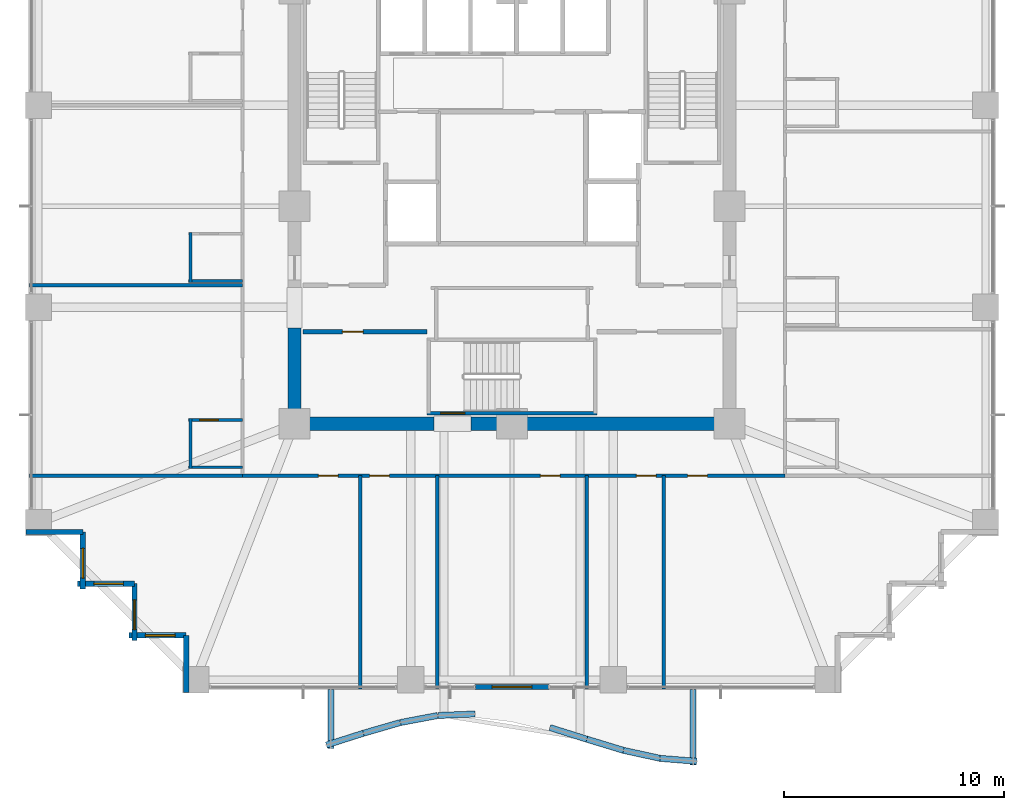
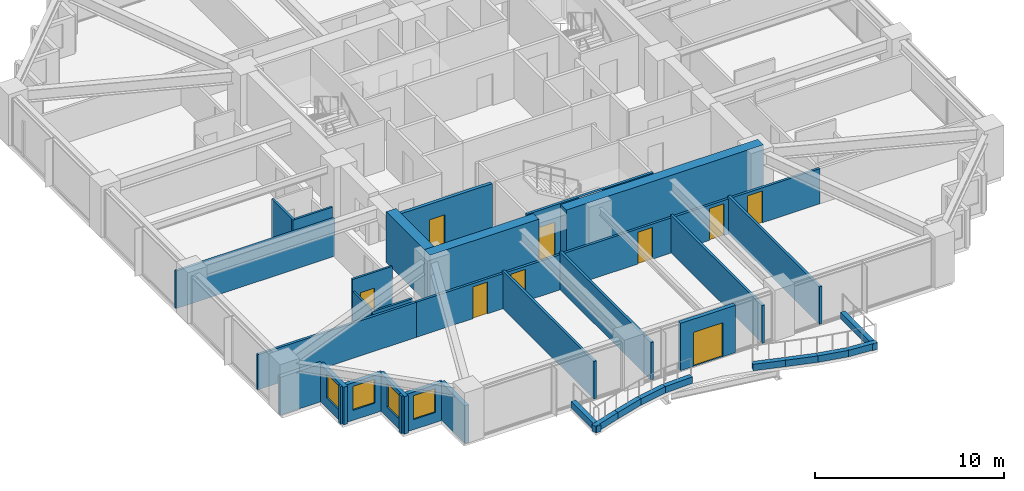
# One storey, part 32 of 38: 34 walls, 9 doors, 4 windows, 13 openings.
"""IFC4 building model written with IfcOpenShell, lengths in metres."""

from ifc_helpers import new_model, si_unit, direction, frame, frame_2d, origin, place, context, subcontext, project, spatial, rectangle, extrude, material, layer, layer_set, type_object, element, fill, save


model = new_model("IFC4")

# Units and contexts
model_context = context("Model", 3, precision=1e-05, world=origin(), true_north=direction((0.0, 1.0)))
body_context = subcontext(model_context, "Body", "Model", "MODEL_VIEW")
ifc_project = project(units=[si_unit("LENGTHUNIT", "METRE"), si_unit("AREAUNIT", "SQUARE_METRE"), si_unit("VOLUMEUNIT", "CUBIC_METRE"), si_unit("PLANEANGLEUNIT", "RADIAN"), si_unit("MASSUNIT", "GRAM", prefix="KILO")], contexts=[model_context])

# Site, building, storey
site_placement = place(None, origin())
site = spatial("IfcSite", under=ifc_project, at=site_placement, CompositionType="ELEMENT")
building_placement = place(site_placement, origin())
building = spatial("IfcBuilding", under=site, at=building_placement, Name="Kolvaren Belvedere", CompositionType="ELEMENT")
storey_placement = place(building_placement, frame((0.0, 0.0, 27.10009765625)))
storey = spatial("IfcBuildingStorey", under=building, at=storey_placement, Name="L07", CompositionType="ELEMENT", Elevation=27.10009765625)

# Walls
ifc_material_1 = material(Name="Concrete C60/75", Category="concrete")
ifc_layer_1 = layer(ifc_material_1, 0.60009765625)
ifc_layer_set_1 = layer_set([ifc_layer_1], Name="Concrete C60/75")
wall_type_1 = type_object("IfcWallType", Name="CW-CORE-600", PredefinedType="SHEAR", material=ifc_layer_set_1)
wall_1_placement = place(storey_placement, frame((10.199951171875, -9.89990234375, 0.0), z_axis=(0.0, 0.0, 1.0), x_axis=(-1.0, 0.0, 0.0)))
element("IfcWall", 1, at=wall_1_placement, inside=storey, type_object=wall_type_1, Name="L07 South Core Shear Wall 1", PredefinedType="SHEAR", context=body_context, shape_type="SweptSolid", body=[
    extrude(rectangle(XDim=12.06005859375, YDim=0.60009765625, at=frame_2d((6.030029296875, 0.0))), origin(), (0.0, 0.0, 1.0), 3.2998046875),
])
wall_2_placement = place(storey_placement, frame((-3.5400390625, -9.89990234375, 0.0), z_axis=(0.0, 0.0, 1.0), x_axis=(-1.0, 0.0, 0.0)))
element("IfcWall", 2, at=wall_2_placement, inside=storey, type_object=wall_type_1, Name="L07 South Core Shear Wall 2", PredefinedType="SHEAR", context=body_context, shape_type="SweptSolid", body=[
    extrude(rectangle(XDim=6.659912109375, YDim=0.60009765625, at=frame_2d((3.330078125, 0.0))), origin(), (0.0, 0.0, 1.0), 3.2998046875),
])
wall_3_placement = place(storey_placement, frame((-9.89990234375, -9.60009765625, 0.0), z_axis=(0.0, 0.0, 1.0), x_axis=(0.0, 1.0, 0.0)))
element("IfcWall", 3, at=wall_3_placement, inside=storey, type_object=wall_type_1, Name="L07 West Core Shear Wall 1", PredefinedType="SHEAR", context=body_context, shape_type="SweptSolid", body=[
    extrude(rectangle(XDim=4.050048828125, YDim=0.60009765625, at=frame_2d((2.02490234375, 0.0))), origin(), (0.0, 0.0, 1.0), 3.2998046875),
])

# Wall, opening, door
ifc_material_2 = material(Name="Concrete C50/60", Category="concrete")
ifc_layer_2 = layer(ifc_material_2, 0.159912109375)
ifc_layer_set_2 = layer_set([ifc_layer_2], Name="Concrete C50/60")
wall_type_2 = type_object("IfcWallType", Name="CW-STAIR-160", PredefinedType="SHEAR", material=ifc_layer_set_2)
wall_4_placement = place(storey_placement, frame((3.860107421875, -9.429931640625, 0.0), z_axis=(0.0, 0.0, 1.0), x_axis=(-1.0, 0.0, 0.0)))
wall_4 = element("IfcWall", 4, at=wall_4_placement, inside=storey, type_object=wall_type_2, Name="L07 Stair ST-3 South Shear Wall", PredefinedType="SHEAR", context=body_context, shape_type="SweptSolid", body=[
    extrude(rectangle(XDim=7.72021484375, YDim=0.159912109375, at=frame_2d((3.860107421875, 0.0))), origin(), (0.0, 0.0, 1.0), 3.2998046875),
])
opening_1_placement = place(wall_4_placement, frame((6.010009765625, 0.0, 0.0)))
opening_1 = element("IfcOpeningElement", 5, at=opening_1_placement, cuts=wall_4, Name="Opening D-FD90", PredefinedType="OPENING", context=body_context, shape_type="SweptSolid", body=[
    extrude(rectangle(XDim=1.10009765625, YDim=2.199951171875, at=frame_2d((0.550048828125, 1.10009765625))), frame((0.0, 0.08984375, 0.0), z_axis=(0.0, -1.0, 0.0), x_axis=(1.0, 0.0, 0.0)), (0.0, 0.0, 1.0), 0.179931640625),
])
ifc_material_3 = material(Name="Painted hollow stainless steel", Category="steel")
door_type_1 = type_object("IfcDoorType", Name="DR-FD90-1100", OperationType="NOTDEFINED", PredefinedType="DOOR", material=ifc_material_3)
door_1_placement = place(opening_1_placement, origin())
door_1 = element("IfcDoor", 6, at=door_1_placement, inside=storey, type_object=door_type_1, Name="L07 Stair ST-3 Exit Door", OperationType="SINGLE_SWING_RIGHT", OverallHeight=2.199951171875, OverallWidth=1.10009765625, PredefinedType="DOOR", context=body_context, shape_type="SweptSolid", body=[
    extrude(rectangle(XDim=1.10009765625, YDim=2.199951171875, at=frame_2d((0.550048828125, 1.10009765625))), frame((0.0, 0.02490234375, 0.0), z_axis=(0.0, -1.0, 0.0), x_axis=(1.0, 0.0, 0.0)), (0.0, 0.0, 1.0), 0.050048828125),
])
fill(opening_1, door_1)

# Wall, openings, doors
ifc_material_4 = material(Name="Gypsum fire-rated partition assembly", Category="gypsum")
ifc_layer_3 = layer(ifc_material_4, 0.14990234375)
ifc_layer_set_3 = layer_set([ifc_layer_3], Name="Gypsum fire-rated partition assembly")
wall_type_3 = type_object("IfcWallType", Name="WL-CORR-150", PredefinedType="PARTITIONING", material=ifc_layer_set_3)
wall_5_placement = place(storey_placement, frame((-12.260009765625, -12.260009765625, 0.0), z_axis=(0.0, 0.0, 1.0), x_axis=(1.0, 0.0, 0.0)))
wall_5 = element("IfcWall", 7, at=wall_5_placement, inside=storey, type_object=wall_type_3, Name="L07 South Corridor Wall", PredefinedType="PARTITIONING", context=body_context, shape_type="SweptSolid", body=[
    extrude(rectangle(XDim=24.679931640625, YDim=0.14990234375, at=frame_2d((12.33984375, 0.0))), origin(), (0.0, 0.0, 1.0), 2.27197265625),
])
opening_2_placement = place(wall_5_placement, frame((3.4443359375, 0.0, 0.0)))
opening_2 = element("IfcOpeningElement", 8, at=opening_2_placement, cuts=wall_5, Name="Opening D-INT90", PredefinedType="OPENING", context=body_context, shape_type="SweptSolid", body=[
    extrude(rectangle(XDim=0.89990234375, YDim=2.06005859375, at=frame_2d((0.449951171875, 1.030029296875))), frame((0.0, 0.0849609375, 0.0), z_axis=(0.0, -1.0, 0.0), x_axis=(1.0, 0.0, 0.0)), (0.0, 0.0, 1.0), 0.169921875),
])
opening_3_placement = place(wall_5_placement, frame((5.779296875, 0.0, 0.0)))
opening_3 = element("IfcOpeningElement", 9, at=opening_3_placement, cuts=wall_5, Name="Opening D-INT90", PredefinedType="OPENING", context=body_context, shape_type="SweptSolid", body=[
    extrude(rectangle(XDim=0.89990234375, YDim=2.06005859375, at=frame_2d((0.449951171875, 1.030029296875))), frame((0.0, 0.0849609375, 0.0), z_axis=(0.0, -1.0, 0.0), x_axis=(1.0, 0.0, 0.0)), (0.0, 0.0, 1.0), 0.169921875),
])
opening_4_placement = place(wall_5_placement, frame((13.551025390625, 0.0, 0.0)))
opening_4 = element("IfcOpeningElement", 10, at=opening_4_placement, cuts=wall_5, Name="Opening D-INT90", PredefinedType="OPENING", context=body_context, shape_type="SweptSolid", body=[
    extrude(rectangle(XDim=0.89990234375, YDim=2.06005859375, at=frame_2d((0.449951171875, 1.030029296875))), frame((0.0, 0.0849609375, 0.0), z_axis=(0.0, -1.0, 0.0), x_axis=(1.0, 0.0, 0.0)), (0.0, 0.0, 1.0), 0.169921875),
])
opening_5_placement = place(wall_5_placement, frame((17.920654296875, 0.0, 0.0)))
opening_5 = element("IfcOpeningElement", 11, at=opening_5_placement, cuts=wall_5, Name="Opening D-INT90", PredefinedType="OPENING", context=body_context, shape_type="SweptSolid", body=[
    extrude(rectangle(XDim=0.89990234375, YDim=2.06005859375, at=frame_2d((0.449951171875, 1.030029296875))), frame((0.0, 0.0849609375, 0.0), z_axis=(0.0, -1.0, 0.0), x_axis=(1.0, 0.0, 0.0)), (0.0, 0.0, 1.0), 0.169921875),
])
opening_6_placement = place(wall_5_placement, frame((20.255615234375, 0.0, 0.0)))
opening_6 = element("IfcOpeningElement", 12, at=opening_6_placement, cuts=wall_5, Name="Opening D-INT90", PredefinedType="OPENING", context=body_context, shape_type="SweptSolid", body=[
    extrude(rectangle(XDim=0.89990234375, YDim=2.06005859375, at=frame_2d((0.449951171875, 1.030029296875))), frame((0.0, 0.0849609375, 0.0), z_axis=(0.0, -1.0, 0.0), x_axis=(1.0, 0.0, 0.0)), (0.0, 0.0, 1.0), 0.169921875),
])
ifc_material_5 = material(Name="Stained Pacific white oak", Category="timber")
door_type_2 = type_object("IfcDoorType", Name="DR-INT-900", OperationType="NOTDEFINED", PredefinedType="DOOR", material=ifc_material_5)
door_2_placement = place(opening_2_placement, origin())
door_2 = element("IfcDoor", 13, at=door_2_placement, inside=storey, type_object=door_type_2, Name="L07 Lounge 701 Door", OperationType="SINGLE_SWING_LEFT", OverallHeight=2.06005859375, OverallWidth=0.89990234375, PredefinedType="DOOR", context=body_context, shape_type="SweptSolid", body=[
    extrude(rectangle(XDim=0.89990234375, YDim=2.06005859375, at=frame_2d((0.449951171875, 1.030029296875))), frame((0.0, 0.02490234375, 0.0), z_axis=(0.0, -1.0, 0.0), x_axis=(1.0, 0.0, 0.0)), (0.0, 0.0, 1.0), 0.050048828125),
])
fill(opening_2, door_2)
door_3_placement = place(opening_3_placement, origin())
door_3 = element("IfcDoor", 14, at=door_3_placement, inside=storey, type_object=door_type_2, Name="L07 Guest Tea & Espresso Kitchen 702 Door", OperationType="SINGLE_SWING_RIGHT", OverallHeight=2.06005859375, OverallWidth=0.89990234375, PredefinedType="DOOR", context=body_context, shape_type="SweptSolid", body=[
    extrude(rectangle(XDim=0.89990234375, YDim=2.06005859375, at=frame_2d((0.449951171875, 1.030029296875))), frame((0.0, 0.02490234375, 0.0), z_axis=(0.0, -1.0, 0.0), x_axis=(1.0, 0.0, 0.0)), (0.0, 0.0, 1.0), 0.050048828125),
])
fill(opening_3, door_3)
door_4_placement = place(opening_4_placement, origin())
door_4 = element("IfcDoor", 15, at=door_4_placement, inside=storey, type_object=door_type_2, Name="L07 Private Hospitality Meeting Room 703 Door", OperationType="SINGLE_SWING_LEFT", OverallHeight=2.06005859375, OverallWidth=0.89990234375, PredefinedType="DOOR", context=body_context, shape_type="SweptSolid", body=[
    extrude(rectangle(XDim=0.89990234375, YDim=2.06005859375, at=frame_2d((0.449951171875, 1.030029296875))), frame((0.0, 0.02490234375, 0.0), z_axis=(0.0, -1.0, 0.0), x_axis=(1.0, 0.0, 0.0)), (0.0, 0.0, 1.0), 0.050048828125),
])
fill(opening_4, door_4)
door_5_placement = place(opening_5_placement, origin())
door_5 = element("IfcDoor", 16, at=door_5_placement, inside=storey, type_object=door_type_2, Name="L07 Botanical Reading Salon 704 Door", OperationType="SINGLE_SWING_RIGHT", OverallHeight=2.06005859375, OverallWidth=0.89990234375, PredefinedType="DOOR", context=body_context, shape_type="SweptSolid", body=[
    extrude(rectangle(XDim=0.89990234375, YDim=2.06005859375, at=frame_2d((0.449951171875, 1.030029296875))), frame((0.0, 0.02490234375, 0.0), z_axis=(0.0, -1.0, 0.0), x_axis=(1.0, 0.0, 0.0)), (0.0, 0.0, 1.0), 0.050048828125),
])
fill(opening_5, door_5)
door_6_placement = place(opening_6_placement, origin())
door_6 = element("IfcDoor", 17, at=door_6_placement, inside=storey, type_object=door_type_2, Name="L07 Lounge 705 Door", OperationType="SINGLE_SWING_LEFT", OverallHeight=2.06005859375, OverallWidth=0.89990234375, PredefinedType="DOOR", context=body_context, shape_type="SweptSolid", body=[
    extrude(rectangle(XDim=0.89990234375, YDim=2.06005859375, at=frame_2d((0.449951171875, 1.030029296875))), frame((0.0, 0.02490234375, 0.0), z_axis=(0.0, -1.0, 0.0), x_axis=(1.0, 0.0, 0.0)), (0.0, 0.0, 1.0), 0.050048828125),
])
fill(opening_6, door_6)

# Wall, opening, door
ifc_material_6 = material(Name="Insulated pale-metal facade wall assembly", Category="aluminium")
ifc_layer_4 = layer(ifc_material_6, 0.239990234375)
ifc_layer_set_4 = layer_set([ifc_layer_4], Name="Insulated pale-metal facade wall assembly")
wall_type_4 = type_object("IfcWallType", Name="WL-EXT-240", PredefinedType="STANDARD", material=ifc_layer_set_4)
wall_6_placement = place(storey_placement, frame((1.679931640625, -21.8798828125, 0.0), z_axis=(0.0, 0.0, 1.0), x_axis=(-1.0, 0.0, 0.0)))
wall_6 = element("IfcWall", 18, at=wall_6_placement, inside=storey, type_object=wall_type_4, Name="L07 South Terrace Portal Wall", PredefinedType="STANDARD", context=body_context, shape_type="SweptSolid", body=[
    extrude(rectangle(XDim=3.35986328125, YDim=0.239990234375, at=frame_2d((1.679931640625, 0.0))), origin(), (0.0, 0.0, 1.0), 3.059814453125),
])
opening_7_placement = place(wall_6_placement, frame((0.780029296875, 0.0, 0.0)))
opening_7 = element("IfcOpeningElement", 19, at=opening_7_placement, cuts=wall_6, Name="Opening DB-1800", PredefinedType="OPENING", context=body_context, shape_type="SweptSolid", body=[
    extrude(rectangle(XDim=1.800048828125, YDim=2.199951171875, at=frame_2d((0.89990234375, 1.10009765625))), frame((0.0, 0.1298828125, 0.0), z_axis=(0.0, -1.0, 0.0), x_axis=(1.0, 0.0, 0.0)), (0.0, 0.0, 1.0), 0.260009765625),
])
ifc_material_7 = material(Name="Thermally broken pale-metal aluminium & low-iron glass", Category="aluminium")
door_type_3 = type_object("IfcDoorType", Name="DR-BAL-1800", OperationType="DOUBLE_DOOR_SLIDING", PredefinedType="DOOR", material=ifc_material_7)
door_7_placement = place(opening_7_placement, origin())
door_7 = element("IfcDoor", 20, at=door_7_placement, inside=storey, type_object=door_type_3, Name="L07 South Planted Terrace Sliding Door", OperationType="DOUBLE_DOOR_SLIDING", OverallHeight=2.199951171875, OverallWidth=1.800048828125, PredefinedType="DOOR", context=body_context, shape_type="SweptSolid", body=[
    extrude(rectangle(XDim=1.800048828125, YDim=2.199951171875, at=frame_2d((0.89990234375, 1.10009765625))), frame((0.0, 0.02490234375, 0.0), z_axis=(0.0, -1.0, 0.0), x_axis=(1.0, 0.0, 0.0)), (0.0, 0.0, 1.0), 0.050048828125),
])
fill(opening_7, door_7)

# Wall
wall_7_placement = place(storey_placement, frame((-19.530029296875, -14.830078125, 0.0), z_axis=(0.0, 0.0, 1.0), x_axis=(-1.0, 0.0, 0.0)))
element("IfcWall", 21, at=wall_7_placement, inside=storey, type_object=wall_type_4, Name="L07 Serrated Corner Facade Wall 23", PredefinedType="STANDARD", context=body_context, shape_type="SweptSolid", body=[
    extrude(rectangle(XDim=2.590087890625, YDim=0.239990234375, at=frame_2d((1.294921875, 0.0))), origin(), (0.0, 0.0, 1.0), 2.43896484375),
])

# Wall, opening, window
wall_8_placement = place(storey_placement, frame((-19.530029296875, -17.419921875, 0.0), z_axis=(0.0, 0.0, 1.0), x_axis=(0.0, 1.0, 0.0)))
wall_8 = element("IfcWall", 22, at=wall_8_placement, inside=storey, type_object=wall_type_4, Name="L07 Serrated Corner Facade Wall 24", PredefinedType="STANDARD", context=body_context, shape_type="SweptSolid", body=[
    extrude(rectangle(XDim=2.58984375, YDim=0.239990234375, at=frame_2d((1.294921875, 0.0))), origin(), (0.0, 0.0, 1.0), 2.43896484375),
])
opening_8_placement = place(wall_8_placement, frame((0.5, 0.0, 0.64990234375)))
opening_8 = element("IfcOpeningElement", 23, at=opening_8_placement, cuts=wall_8, Name="Opening W-1350", PredefinedType="OPENING", context=body_context, shape_type="SweptSolid", body=[
    extrude(rectangle(XDim=1.35009765625, YDim=1.550048828125, at=frame_2d((0.675048828125, 0.77490234375))), frame((0.0, 0.1298828125, 0.0), z_axis=(0.0, -1.0, 0.0), x_axis=(1.0, 0.0, 0.0)), (0.0, 0.0, 1.0), 0.260009765625),
])
ifc_material_8 = material(Name="Low-iron triple insulated glass", Category="glass")
window_type = type_object("IfcWindowType", Name="WN-CORN-1350", PartitioningType="SINGLE_PANEL", PredefinedType="WINDOW", material=ifc_material_8)
window_1_placement = place(opening_8_placement, origin())
window_1 = element("IfcWindow", 24, at=window_1_placement, inside=storey, type_object=window_type, Name="L07 Serrated Corner Vision Window 24", OverallHeight=1.550048828125, OverallWidth=1.35009765625, PartitioningType="SINGLE_PANEL", PredefinedType="WINDOW", context=body_context, shape_type="SweptSolid", body=[
    extrude(rectangle(XDim=1.35009765625, YDim=1.550048828125, at=frame_2d((0.675048828125, 0.77490234375))), frame((0.0, 0.030029296875, 0.0), z_axis=(0.0, -1.0, 0.0), x_axis=(1.0, 0.0, 0.0)), (0.0, 0.0, 1.0), 0.06005859375),
])
fill(opening_8, window_1)

wall_9_placement = place(storey_placement, frame((-17.179931640625, -17.179931640625, 0.0), z_axis=(0.0, 0.0, 1.0), x_axis=(-1.0, 0.0, 0.0)))
wall_9 = element("IfcWall", 25, at=wall_9_placement, inside=storey, type_object=wall_type_4, Name="L07 Serrated Corner Facade Wall 25", PredefinedType="STANDARD", context=body_context, shape_type="SweptSolid", body=[
    extrude(rectangle(XDim=2.590087890625, YDim=0.239990234375, at=frame_2d((1.294921875, 0.0))), origin(), (0.0, 0.0, 1.0), 2.43896484375),
])
opening_9_placement = place(wall_9_placement, frame((0.5, 0.0, 0.64990234375)))
opening_9 = element("IfcOpeningElement", 26, at=opening_9_placement, cuts=wall_9, Name="Opening W-1350", PredefinedType="OPENING", context=body_context, shape_type="SweptSolid", body=[
    extrude(rectangle(XDim=1.35009765625, YDim=1.550048828125, at=frame_2d((0.675048828125, 0.77490234375))), frame((0.0, 0.1298828125, 0.0), z_axis=(0.0, -1.0, 0.0), x_axis=(1.0, 0.0, 0.0)), (0.0, 0.0, 1.0), 0.260009765625),
])
window_2_placement = place(opening_9_placement, origin())
window_2 = element("IfcWindow", 27, at=window_2_placement, inside=storey, type_object=window_type, Name="L07 Serrated Corner Vision Window 25", OverallHeight=1.550048828125, OverallWidth=1.35009765625, PartitioningType="SINGLE_PANEL", PredefinedType="WINDOW", context=body_context, shape_type="SweptSolid", body=[
    extrude(rectangle(XDim=1.35009765625, YDim=1.550048828125, at=frame_2d((0.675048828125, 0.77490234375))), frame((0.0, 0.030029296875, 0.0), z_axis=(0.0, -1.0, 0.0), x_axis=(1.0, 0.0, 0.0)), (0.0, 0.0, 1.0), 0.06005859375),
])
fill(opening_9, window_2)

wall_10_placement = place(storey_placement, frame((-17.179931640625, -19.77001953125, 0.0), z_axis=(0.0, 0.0, 1.0), x_axis=(0.0, 1.0, 0.0)))
wall_10 = element("IfcWall", 28, at=wall_10_placement, inside=storey, type_object=wall_type_4, Name="L07 Serrated Corner Facade Wall 26", PredefinedType="STANDARD", context=body_context, shape_type="SweptSolid", body=[
    extrude(rectangle(XDim=2.590087890625, YDim=0.239990234375, at=frame_2d((1.294921875, 0.0))), origin(), (0.0, 0.0, 1.0), 2.43896484375),
])
opening_10_placement = place(wall_10_placement, frame((0.5, 0.0, 0.64990234375)))
opening_10 = element("IfcOpeningElement", 29, at=opening_10_placement, cuts=wall_10, Name="Opening W-1350", PredefinedType="OPENING", context=body_context, shape_type="SweptSolid", body=[
    extrude(rectangle(XDim=1.35009765625, YDim=1.550048828125, at=frame_2d((0.675048828125, 0.77490234375))), frame((0.0, 0.1298828125, 0.0), z_axis=(0.0, -1.0, 0.0), x_axis=(1.0, 0.0, 0.0)), (0.0, 0.0, 1.0), 0.260009765625),
])
window_3_placement = place(opening_10_placement, origin())
window_3 = element("IfcWindow", 30, at=window_3_placement, inside=storey, type_object=window_type, Name="L07 Serrated Corner Vision Window 26", OverallHeight=1.550048828125, OverallWidth=1.35009765625, PartitioningType="SINGLE_PANEL", PredefinedType="WINDOW", context=body_context, shape_type="SweptSolid", body=[
    extrude(rectangle(XDim=1.35009765625, YDim=1.550048828125, at=frame_2d((0.675048828125, 0.77490234375))), frame((0.0, 0.030029296875, 0.0), z_axis=(0.0, -1.0, 0.0), x_axis=(1.0, 0.0, 0.0)), (0.0, 0.0, 1.0), 0.06005859375),
])
fill(opening_10, window_3)

wall_11_placement = place(storey_placement, frame((-14.830078125, -19.530029296875, 0.0), z_axis=(0.0, 0.0, 1.0), x_axis=(-1.0, 0.0, 0.0)))
wall_11 = element("IfcWall", 31, at=wall_11_placement, inside=storey, type_object=wall_type_4, Name="L07 Serrated Corner Facade Wall 27", PredefinedType="STANDARD", context=body_context, shape_type="SweptSolid", body=[
    extrude(rectangle(XDim=2.58984375, YDim=0.239990234375, at=frame_2d((1.294921875, 0.0))), origin(), (0.0, 0.0, 1.0), 2.43896484375),
])
opening_11_placement = place(wall_11_placement, frame((0.5, 0.0, 0.64990234375)))
opening_11 = element("IfcOpeningElement", 32, at=opening_11_placement, cuts=wall_11, Name="Opening W-1350", PredefinedType="OPENING", context=body_context, shape_type="SweptSolid", body=[
    extrude(rectangle(XDim=1.35009765625, YDim=1.550048828125, at=frame_2d((0.675048828125, 0.77490234375))), frame((0.0, 0.1298828125, 0.0), z_axis=(0.0, -1.0, 0.0), x_axis=(1.0, 0.0, 0.0)), (0.0, 0.0, 1.0), 0.260009765625),
])
window_4_placement = place(opening_11_placement, origin())
window_4 = element("IfcWindow", 33, at=window_4_placement, inside=storey, type_object=window_type, Name="L07 Serrated Corner Vision Window 27", OverallHeight=1.550048828125, OverallWidth=1.35009765625, PartitioningType="SINGLE_PANEL", PredefinedType="WINDOW", context=body_context, shape_type="SweptSolid", body=[
    extrude(rectangle(XDim=1.35009765625, YDim=1.550048828125, at=frame_2d((0.675048828125, 0.77490234375))), frame((0.0, 0.030029296875, 0.0), z_axis=(0.0, -1.0, 0.0), x_axis=(1.0, 0.0, 0.0)), (0.0, 0.0, 1.0), 0.06005859375),
])
fill(opening_11, window_4)

# Walls
wall_12_placement = place(storey_placement, frame((-14.830078125, -22.1201171875, 0.0), z_axis=(0.0, 0.0, 1.0), x_axis=(0.0, 1.0, 0.0)))
element("IfcWall", 34, at=wall_12_placement, inside=storey, type_object=wall_type_4, Name="L07 Serrated Corner Facade Wall 28", PredefinedType="STANDARD", context=body_context, shape_type="SweptSolid", body=[
    extrude(rectangle(XDim=2.590087890625, YDim=0.239990234375, at=frame_2d((1.294921875, 0.0))), origin(), (0.0, 0.0, 1.0), 2.43896484375),
])
ifc_material_9 = material(Name="Gypsum acoustic partition assembly", Category="gypsum")
ifc_layer_5 = layer(ifc_material_9, 0.14990234375)
ifc_layer_set_5 = layer_set([ifc_layer_5], Name="Gypsum acoustic partition assembly")
wall_type_5 = type_object("IfcWallType", Name="WL-PART-150", PredefinedType="PARTITIONING", material=ifc_layer_set_5)
wall_13_placement = place(storey_placement, frame((-21.97998046875, -12.260009765625, 0.0), z_axis=(0.0, 0.0, 1.0), x_axis=(1.0, 0.0, 0.0)))
element("IfcWall", 35, at=wall_13_placement, inside=storey, type_object=wall_type_5, Name="L07 Wing Divider PW-L07-QSW", PredefinedType="PARTITIONING", context=body_context, shape_type="SweptSolid", body=[
    extrude(rectangle(XDim=9.719970703125, YDim=0.14990234375, at=frame_2d((4.85986328125, 0.0))), origin(), (0.0, 0.0, 1.0), 2.27197265625),
])
for number, where, z_axis, x_axis, name in (
    (36, (-6.89990234375, -21.97998046875, 0.0), (0.0, 0.0, 1.0), (0.0, 1.0, 0.0), "L07 South Suite Demising Wall 1"),
    (37, (-3.39990234375, -21.97998046875, 0.0), (0.0, 0.0, 1.0), (0.0, 1.0, 0.0), "L07 South Suite Demising Wall 2"),
    (38, (3.39990234375, -21.97998046875, 0.0), (0.0, 0.0, 1.0), (0.0, 1.0, 0.0), "L07 South Suite Demising Wall 3"),
    (39, (6.89990234375, -21.97998046875, 0.0), (0.0, 0.0, 1.0), (0.0, 1.0, 0.0), "L07 South Suite Demising Wall 4"),
    (40, (-21.97998046875, -3.60009765625, 0.0), (0.0, 0.0, 1.0), (1.0, 0.0, 0.0), "L07 West Suite Demising Wall 1"),
):
    element("IfcWall", number, at=place(storey_placement, frame(where, z_axis=z_axis, x_axis=x_axis)), inside=storey, type_object=wall_type_5, Name=name, PredefinedType="PARTITIONING", context=body_context, shape_type="SweptSolid", body=[
        extrude(rectangle(XDim=9.719970703125, YDim=0.14990234375, at=frame_2d((4.85986328125, 0.0))), origin(), (0.0, 0.0, 1.0), 2.428955078125),
    ])
ifc_material_10 = material(Name="Precast concrete C40/50", Category="concrete")
ifc_layer_6 = layer(ifc_material_10, 0.300048828125)
ifc_layer_set_6 = layer_set([ifc_layer_6], Name="Precast concrete C40/50")
wall_type_6 = type_object("IfcWallType", Name="WL-PLANTER-300", PredefinedType="PARAPET", material=ifc_layer_set_6)
wall_14_placement = place(storey_placement, frame((-8.448486328125, -24.521240234375, -0.06005859375), z_axis=(0.0, 0.0, 1.0), x_axis=(0.952661770826, 0.304032153573, 0.0)))
element("IfcWall", 41, at=wall_14_placement, inside=storey, type_object=wall_type_6, Name="L07 Precast Structural Planter Wall BAL-S-1", PredefinedType="PARAPET", context=body_context, shape_type="SweptSolid", body=[
    extrude(rectangle(XDim=1.763427734375, YDim=0.280029296875, at=frame_2d((0.8818359375, 0.0))), origin(), (0.0, 0.0, 1.0), 0.419921875),
])
wall_15_placement = place(storey_placement, frame((-6.764404296875, -23.98388671875, -0.06005859375), z_axis=(0.0, 0.0, 1.0), x_axis=(0.96059663827, 0.277946215201, 0.0)))
element("IfcWall", 42, at=wall_15_placement, inside=storey, type_object=wall_type_6, Name="L07 Precast Structural Planter Wall BAL-S-2", PredefinedType="PARAPET", context=body_context, shape_type="SweptSolid", body=[
    extrude(rectangle(XDim=1.748779296875, YDim=0.280029296875, at=frame_2d((0.87451171875, 0.0))), origin(), (0.0, 0.0, 1.0), 0.419921875),
])
wall_16_placement = place(storey_placement, frame((-5.069580078125, -23.494384765625, -0.06005859375), z_axis=(0.0, 0.0, 1.0), x_axis=(0.982799348901, 0.18467658162, 0.0)))
element("IfcWall", 43, at=wall_16_placement, inside=storey, type_object=wall_type_6, Name="L07 Precast Structural Planter Wall BAL-S-3", PredefinedType="PARAPET", context=body_context, shape_type="SweptSolid", body=[
    extrude(rectangle(XDim=1.709228515625, YDim=0.280029296875, at=frame_2d((0.8544921875, 0.0))), origin(), (0.0, 0.0, 1.0), 0.419921875),
])
wall_17_placement = place(storey_placement, frame((-3.366455078125, -23.17578125, -0.06005859375), z_axis=(0.0, 0.0, 1.0), x_axis=(0.999202581436, 0.039927449854, 0.0)))
element("IfcWall", 44, at=wall_17_placement, inside=storey, type_object=wall_type_6, Name="L07 Precast Structural Planter Wall BAL-S-4", PredefinedType="PARAPET", context=body_context, shape_type="SweptSolid", body=[
    extrude(rectangle(XDim=1.681396484375, YDim=0.280029296875, at=frame_2d((0.8408203125, 0.0))), origin(), (0.0, 0.0, 1.0), 0.419921875),
])
wall_18_placement = place(storey_placement, frame((1.727783203125, -23.7275390625, -0.06005859375), z_axis=(0.0, 0.0, 1.0), x_axis=(0.954069594374, -0.299585061529, 0.0)))
element("IfcWall", 45, at=wall_18_placement, inside=storey, type_object=wall_type_6, Name="L07 Precast Structural Planter Wall BAL-S-7", PredefinedType="PARAPET", context=body_context, shape_type="SweptSolid", body=[
    extrude(rectangle(XDim=1.760986328125, YDim=0.280029296875, at=frame_2d((0.88037109375, 0.0))), origin(), (0.0, 0.0, 1.0), 0.419921875),
])
wall_19_placement = place(storey_placement, frame((3.406494140625, -24.254638671875, -0.06005859375), z_axis=(0.0, 0.0, 1.0), x_axis=(0.956732787823, -0.290967992577, 0.0)))
element("IfcWall", 46, at=wall_19_placement, inside=storey, type_object=wall_type_6, Name="L07 Precast Structural Planter Wall BAL-S-8", PredefinedType="PARAPET", context=body_context, shape_type="SweptSolid", body=[
    extrude(rectangle(XDim=1.756103515625, YDim=0.280029296875, at=frame_2d((0.8779296875, 0.0))), origin(), (0.0, 0.0, 1.0), 0.419921875),
])
wall_20_placement = place(storey_placement, frame((5.07421875, -24.762451171875, -0.06005859375), z_axis=(0.0, 0.0, 1.0), x_axis=(0.976876857632, -0.213802724545, 0.0)))
element("IfcWall", 47, at=wall_20_placement, inside=storey, type_object=wall_type_6, Name="L07 Precast Structural Planter Wall BAL-S-9", PredefinedType="PARAPET", context=body_context, shape_type="SweptSolid", body=[
    extrude(rectangle(XDim=1.7197265625, YDim=0.280029296875, at=frame_2d((0.85986328125, 0.0))), origin(), (0.0, 0.0, 1.0), 0.419921875),
])
wall_21_placement = place(storey_placement, frame((6.732666015625, -25.126953125, -0.06005859375), z_axis=(0.0, 0.0, 1.0), x_axis=(0.99685522818, -0.079244268248, 0.0)))
element("IfcWall", 48, at=wall_21_placement, inside=storey, type_object=wall_type_6, Name="L07 Precast Structural Planter Wall BAL-S-10", PredefinedType="PARAPET", context=body_context, shape_type="SweptSolid", body=[
    extrude(rectangle(XDim=1.685302734375, YDim=0.280029296875, at=frame_2d((0.8427734375, 0.0))), origin(), (0.0, 0.0, 1.0), 0.419921875),
])
wall_22_placement = place(storey_placement, frame((8.239990234375, -25.419921875, -0.06005859375), z_axis=(0.0, 0.0, 1.0), x_axis=(0.0, 1.0, 0.0)))
element("IfcWall", 49, at=wall_22_placement, inside=storey, type_object=wall_type_6, Name="L07 Precast Structural Planter Wall BAL-S-11", PredefinedType="PARAPET", context=body_context, shape_type="SweptSolid", body=[
    extrude(rectangle(XDim=3.419921875, YDim=0.280029296875, at=frame_2d((1.7099609375, 0.0))), origin(), (0.0, 0.0, 1.0), 0.419921875),
])
wall_23_placement = place(storey_placement, frame((-8.239990234375, -22.0, -0.06005859375), z_axis=(0.0, 0.0, 1.0), x_axis=(0.0, -1.0, 0.0)))
element("IfcWall", 50, at=wall_23_placement, inside=storey, type_object=wall_type_6, Name="L07 Precast Structural Planter Wall BAL-S-22", PredefinedType="PARAPET", context=body_context, shape_type="SweptSolid", body=[
    extrude(rectangle(XDim=2.673583984375, YDim=0.280029296875, at=frame_2d((1.3369140625, 0.0))), origin(), (0.0, 0.0, 1.0), 0.419921875),
])

# Wall, opening, door
ifc_material_11 = material(Name="Concrete C50/60", Category="concrete")
ifc_layer_7 = layer(ifc_material_11, 0.199951171875)
ifc_layer_set_7 = layer_set([ifc_layer_7], Name="Concrete C50/60")
wall_type_7 = type_object("IfcWallType", Name="WL-SHAFT-200", PredefinedType="SOLIDWALL", material=ifc_layer_set_7)
wall_24_placement = place(storey_placement, frame((-9.52001953125, -5.719970703125, 0.0), z_axis=(0.0, 0.0, 1.0), x_axis=(1.0, 0.0, 0.0)))
wall_24 = element("IfcWall", 51, at=wall_24_placement, inside=storey, type_object=wall_type_7, Name="L07 SW Core Reserve Wall", PredefinedType="SOLIDWALL", context=body_context, shape_type="SweptSolid", body=[
    extrude(rectangle(XDim=5.659912109375, YDim=0.199951171875, at=frame_2d((2.830078125, 0.0))), origin(), (0.0, 0.0, 1.0), 3.059814453125),
])
opening_12_placement = place(wall_24_placement, frame((1.800048828125, 0.0, 0.0)))
opening_12 = element("IfcOpeningElement", 52, at=opening_12_placement, cuts=wall_24, Name="Opening D-FD60", PredefinedType="OPENING", context=body_context, shape_type="SweptSolid", body=[
    extrude(rectangle(XDim=0.949951171875, YDim=2.06005859375, at=frame_2d((0.47509765625, 1.030029296875))), frame((0.0, 0.10986328125, 0.0), z_axis=(0.0, -1.0, 0.0), x_axis=(1.0, 0.0, 0.0)), (0.0, 0.0, 1.0), 0.219970703125),
])
ifc_material_12 = material(Name="Acoustic white-oak fire door leaf", Category="timber")
door_type_4 = type_object("IfcDoorType", Name="DR-FD60-950", OperationType="NOTDEFINED", PredefinedType="DOOR", material=ifc_material_12)
door_8_placement = place(opening_12_placement, origin())
door_8 = element("IfcDoor", 53, at=door_8_placement, inside=storey, type_object=door_type_4, Name="L07 SW Core Room Door", OperationType="SINGLE_SWING_LEFT", OverallHeight=2.06005859375, OverallWidth=0.949951171875, PredefinedType="DOOR", context=body_context, shape_type="SweptSolid", body=[
    extrude(rectangle(XDim=0.949951171875, YDim=2.06005859375, at=frame_2d((0.47509765625, 1.030029296875))), frame((0.0, 0.02490234375, 0.0), z_axis=(0.0, -1.0, 0.0), x_axis=(1.0, 0.0, 0.0)), (0.0, 0.0, 1.0), 0.050048828125),
])
fill(opening_12, door_8)

ifc_material_13 = material(Name="Moisture-resistant gypsum partition", Category="gypsum")
ifc_layer_8 = layer(ifc_material_13, 0.125)
ifc_layer_set_8 = layer_set([ifc_layer_8], Name="Moisture-resistant gypsum partition")
wall_type_8 = type_object("IfcWallType", Name="WL-WET-125", PredefinedType="PARTITIONING", material=ifc_layer_set_8)
wall_25_placement = place(storey_placement, frame((-14.715087890625, -9.73095703125, 0.0), z_axis=(0.0, 0.0, 1.0), x_axis=(1.0, 0.0, 0.0)))
wall_25 = element("IfcWall", 54, at=wall_25_placement, inside=storey, type_object=wall_type_8, Name="L07 Bathroom Partition PW-L07-BTH-9-N", PredefinedType="PARTITIONING", context=body_context, shape_type="SweptSolid", body=[
    extrude(rectangle(XDim=2.440185546875, YDim=0.125, at=frame_2d((1.22021484375, 0.0))), origin(), (0.0, 0.0, 1.0), 3.059814453125),
])
opening_13_placement = place(wall_25_placement, frame((0.5, 0.0, 0.0)))
opening_13 = element("IfcOpeningElement", 55, at=opening_13_placement, cuts=wall_25, Name="Opening D-BTH85", PredefinedType="OPENING", context=body_context, shape_type="SweptSolid", body=[
    extrude(rectangle(XDim=0.85009765625, YDim=2.030029296875, at=frame_2d((0.425048828125, 1.01513671875))), frame((0.0, 0.072509765625, 0.0), z_axis=(0.0, -1.0, 0.0), x_axis=(1.0, 0.0, 0.0)), (0.0, 0.0, 1.0), 0.14501953125),
])
ifc_material_14 = material(Name="Moisture-sealed Pacific white oak", Category="timber")
door_type_5 = type_object("IfcDoorType", Name="DR-BATH-850", OperationType="NOTDEFINED", PredefinedType="DOOR", material=ifc_material_14)
door_9_placement = place(opening_13_placement, origin())
door_9 = element("IfcDoor", 56, at=door_9_placement, inside=storey, type_object=door_type_5, Name="L07 En-Suite Bathroom 709 Door", OperationType="SINGLE_SWING_RIGHT", OverallHeight=2.030029296875, OverallWidth=0.85009765625, PredefinedType="DOOR", context=body_context, shape_type="SweptSolid", body=[
    extrude(rectangle(XDim=0.85009765625, YDim=2.030029296875, at=frame_2d((0.425048828125, 1.01513671875))), frame((0.0, 0.02490234375, 0.0), z_axis=(0.0, -1.0, 0.0), x_axis=(1.0, 0.0, 0.0)), (0.0, 0.0, 1.0), 0.050048828125),
])
fill(opening_13, door_9)

# Walls
wall_26_placement = place(storey_placement, frame((-14.635009765625, -11.94091796875, 0.0), z_axis=(0.0, 0.0, 1.0), x_axis=(0.0, 1.0, 0.0)))
element("IfcWall", 57, at=wall_26_placement, inside=storey, type_object=wall_type_8, Name="L07 Bathroom Partition PW-L07-BTH-9-V", PredefinedType="PARTITIONING", context=body_context, shape_type="SweptSolid", body=[
    extrude(rectangle(XDim=2.27001953125, YDim=0.125, at=frame_2d((1.135009765625, 0.0))), origin(), (0.0, 0.0, 1.0), 2.27197265625),
])
wall_27_placement = place(storey_placement, frame((-14.715087890625, -11.881103515625, 0.0), z_axis=(0.0, 0.0, 1.0), x_axis=(1.0, 0.0, 0.0)))
element("IfcWall", 58, at=wall_27_placement, inside=storey, type_object=wall_type_8, Name="L07 Bathroom Partition PW-L07-BTH-9-S", PredefinedType="PARTITIONING", context=body_context, shape_type="SweptSolid", body=[
    extrude(rectangle(XDim=2.440185546875, YDim=0.125, at=frame_2d((1.22021484375, 0.0))), origin(), (0.0, 0.0, 1.0), 2.27197265625),
])
wall_28_placement = place(storey_placement, frame((-14.635009765625, -3.465087890625, 0.0), z_axis=(0.0, 0.0, 1.0), x_axis=(0.0, 1.0, 0.0)))
element("IfcWall", 59, at=wall_28_placement, inside=storey, type_object=wall_type_8, Name="L07 Bathroom Partition PW-L07-BTH-10-V", PredefinedType="PARTITIONING", context=body_context, shape_type="SweptSolid", body=[
    extrude(rectangle(XDim=2.27001953125, YDim=0.125, at=frame_2d((1.135009765625, 0.0))), origin(), (0.0, 0.0, 1.0), 3.059814453125),
])
wall_29_placement = place(storey_placement, frame((-14.715087890625, -3.405029296875, 0.0), z_axis=(0.0, 0.0, 1.0), x_axis=(1.0, 0.0, 0.0)))
element("IfcWall", 60, at=wall_29_placement, inside=storey, type_object=wall_type_8, Name="L07 Bathroom Partition PW-L07-BTH-10-S", PredefinedType="PARTITIONING", context=body_context, shape_type="SweptSolid", body=[
    extrude(rectangle(XDim=2.440185546875, YDim=0.125, at=frame_2d((1.22021484375, 0.0))), origin(), (0.0, 0.0, 1.0), 3.059814453125),
])

save(model, "model.ifc")
